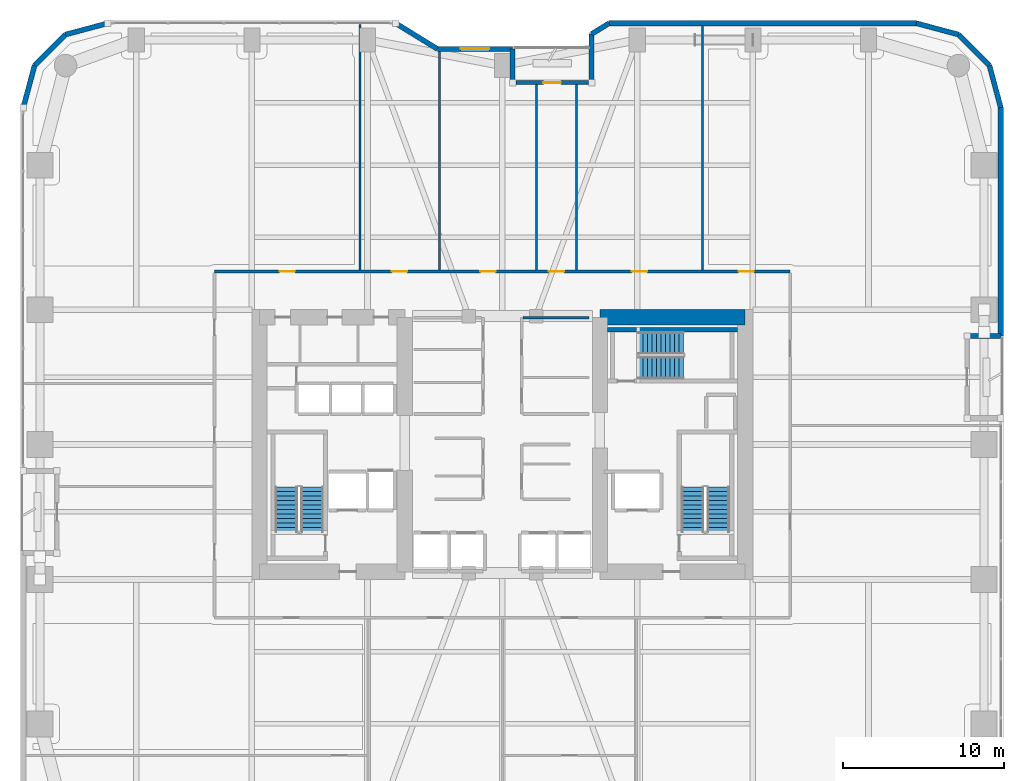
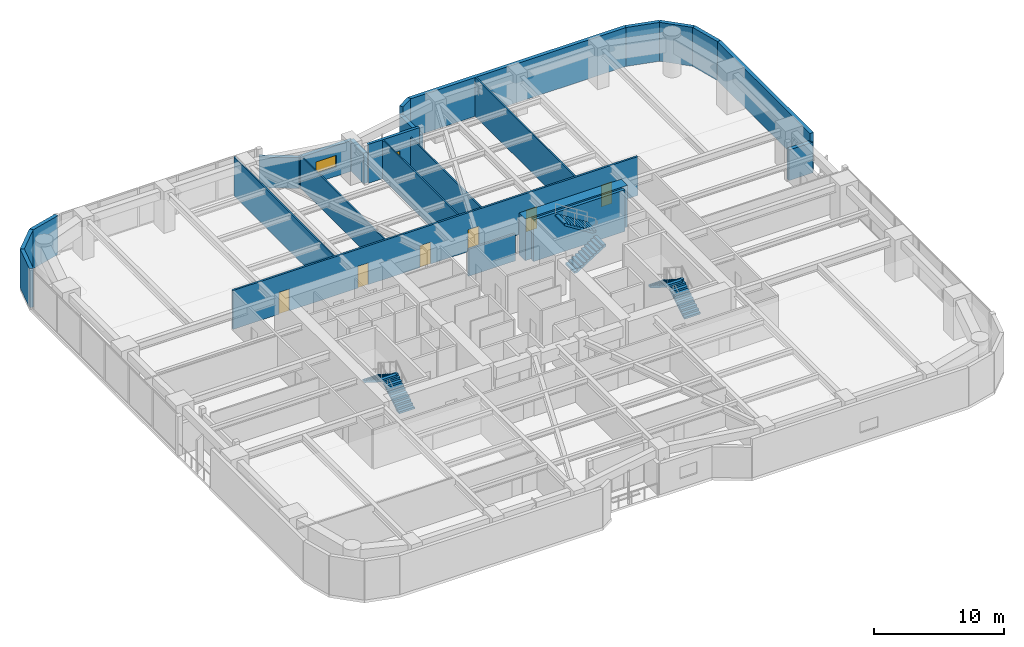
# One storey, part 25 of 28: 24 walls, 7 doors, 6 stair flights, 1 window, 8 openings, 3 elements without a shape of their own.
"""IFC4 building model written with IfcOpenShell, lengths in metres."""

from ifc_helpers import new_model, si_unit, direction, frame, frame_2d, origin, place, context, subcontext, project, spatial, polyline, rectangle, outline, extrude, material, layer, layer_set, type_object, element, fill, aggregate, save


model = new_model("IFC4")

# Units and contexts
model_context = context("Model", 3, precision=1e-05, world=origin(), true_north=direction((0.0, 1.0)))
body_context = subcontext(model_context, "Body", "Model", "MODEL_VIEW")
ifc_project = project(units=[si_unit("LENGTHUNIT", "METRE"), si_unit("AREAUNIT", "SQUARE_METRE"), si_unit("VOLUMEUNIT", "CUBIC_METRE"), si_unit("PLANEANGLEUNIT", "RADIAN"), si_unit("MASSUNIT", "GRAM", prefix="KILO")], contexts=[model_context])

# Site, building, storey
site_placement = place(None, origin())
site = spatial("IfcSite", under=ifc_project, at=site_placement, CompositionType="ELEMENT")
building_placement = place(site_placement, origin())
building = spatial("IfcBuilding", under=site, at=building_placement, Name="Kiyonajd Concourse Tower", CompositionType="ELEMENT")
storey_placement = place(building_placement, frame((0.0, 0.0, 33.300048828125)))
storey = spatial("IfcBuildingStorey", under=building, at=storey_placement, Name="L09", CompositionType="ELEMENT", Elevation=33.300048828125)

# Walls
ifc_material_1 = material(Name="Concrete C80/95", Category="concrete")
ifc_layer_1 = layer(ifc_material_1, 0.949951171875)
ifc_layer_set_1 = layer_set([ifc_layer_1], Name="Concrete C80/95")
wall_type_1 = type_object("IfcWallType", Name="WL-CORE-950", PredefinedType="SHEAR", material=ifc_layer_set_1)
wall_1_placement = place(storey_placement, frame((54.074951171875, 43.925048828125, 0.0), z_axis=(0.0, 0.0, 1.0), x_axis=(1.0, 0.0, 0.0)))
element("IfcWall", 1, at=wall_1_placement, inside=storey, type_object=wall_type_1, Name="L09 East Core North Shear Wall", PredefinedType="SHEAR", context=body_context, shape_type="SweptSolid", body=[
    extrude(rectangle(XDim=9.050048828125, YDim=0.949951171875, at=frame_2d((4.52490234375, 0.0))), origin(), (0.0, 0.0, 1.0), 3.89990234375),
])
ifc_material_2 = material(Name="Precast concrete C50/60", Category="concrete")
ifc_layer_2 = layer(ifc_material_2, 0.320068359375)
ifc_layer_set_2 = layer_set([ifc_layer_2], Name="Precast concrete C50/60")
wall_type_2 = type_object("IfcWallType", Name="WL-EXT-320", PredefinedType="SOLIDWALL", material=ifc_layer_set_2)
wall_2_placement = place(storey_placement, frame((18.159912109375, 56.97900390625, 0.0), z_axis=(0.0, 0.0, 1.0), x_axis=(0.25869736047, 0.965958423373, 0.0)))
element("IfcWall", 2, at=wall_2_placement, inside=storey, type_object=wall_type_2, Name="L09 Exterior Concrete Frame Wall 06", PredefinedType="SOLIDWALL", context=body_context, shape_type="SweptSolid", body=[
    extrude(rectangle(XDim=2.731201171875, YDim=0.320068359375, at=frame_2d((1.36572265625, 0.0))), origin(), (0.0, 0.0, 1.0), 3.639892578125),
])
wall_3_placement = place(storey_placement, frame((18.866455078125, 59.6171875, 0.0), z_axis=(0.0, 0.0, 1.0), x_axis=(0.707106781187, 0.707106781187, 0.0)))
element("IfcWall", 3, at=wall_3_placement, inside=storey, type_object=wall_type_2, Name="L09 Exterior Concrete Frame Wall 07", PredefinedType="SOLIDWALL", context=body_context, shape_type="SweptSolid", body=[
    extrude(rectangle(XDim=2.7099609375, YDim=0.320068359375, at=frame_2d((1.35498046875, 0.0))), origin(), (0.0, 0.0, 1.0), 3.639892578125),
])
wall_4_placement = place(storey_placement, frame((20.78271484375, 61.533447265625, 0.0), z_axis=(0.0, 0.0, 1.0), x_axis=(0.965964405026, 0.25867502435, 0.0)))
element("IfcWall", 4, at=wall_4_placement, inside=storey, type_object=wall_type_2, Name="L09 Exterior Concrete Frame Wall 08", PredefinedType="SOLIDWALL", context=body_context, shape_type="SweptSolid", body=[
    extrude(rectangle(XDim=2.7314453125, YDim=0.320068359375, at=frame_2d((1.36572265625, 0.0))), origin(), (0.0, 0.0, 1.0), 3.639892578125),
])
wall_5_placement = place(storey_placement, frame((41.354736328125, 62.239990234375, 0.0), z_axis=(0.0, 0.0, 1.0), x_axis=(0.851630857047, -0.524142044989, 0.0)))
element("IfcWall", 5, at=wall_5_placement, inside=storey, type_object=wall_type_2, Name="L09 Exterior Concrete Frame Wall 10", PredefinedType="SOLIDWALL", context=body_context, shape_type="SweptSolid", body=[
    extrude(rectangle(XDim=3.052734375, YDim=0.320068359375, at=frame_2d((1.5263671875, 0.0))), origin(), (0.0, 0.0, 1.0), 2.875),
])

# Wall, opening, window
wall_6_placement = place(storey_placement, frame((43.95458984375, 60.639892578125, 0.0), z_axis=(0.0, 0.0, 1.0), x_axis=(1.0, 0.0, 0.0)))
wall_6 = element("IfcWall", 6, at=wall_6_placement, inside=storey, type_object=wall_type_2, Name="L09 Exterior Concrete Frame Wall 11", PredefinedType="SOLIDWALL", context=body_context, shape_type="SweptSolid", body=[
    extrude(rectangle(XDim=4.685302734375, YDim=0.320068359375, at=frame_2d((2.3427734375, 0.0))), origin(), (0.0, 0.0, 1.0), 2.875),
])
opening_1_placement = place(wall_6_placement, frame((1.443115234375, 0.0, 0.85009765625)))
opening_1 = element("IfcOpeningElement", 7, at=opening_1_placement, cuts=wall_6, Name="Opening WN1", PredefinedType="OPENING", context=body_context, shape_type="SweptSolid", body=[
    extrude(rectangle(XDim=1.800048828125, YDim=1.10009765625, at=frame_2d((0.89990234375, 0.550048828125))), frame((0.0, 0.169921875, 0.0), z_axis=(0.0, -1.0, 0.0), x_axis=(1.0, 0.0, 0.0)), (0.0, 0.0, 1.0), 0.340087890625),
])
ifc_material_3 = material(Name="Double Low-E Insulated Glass", Category="glass")
window_type = type_object("IfcWindowType", Name="WN-VIS-1800x1100", PartitioningType="SINGLE_PANEL", PredefinedType="WINDOW", material=ifc_material_3)
window_placement = place(opening_1_placement, origin())
window = element("IfcWindow", 8, at=window_placement, inside=storey, type_object=window_type, Name="L09 Modular Facade Vision Window 11", OverallHeight=1.10009765625, OverallWidth=1.800048828125, PartitioningType="SINGLE_PANEL", PredefinedType="WINDOW", context=body_context, shape_type="SweptSolid", body=[
    extrude(rectangle(XDim=1.800048828125, YDim=1.10009765625, at=frame_2d((0.89990234375, 0.550048828125))), frame((0.0, 0.030029296875, 0.0), z_axis=(0.0, -1.0, 0.0), x_axis=(1.0, 0.0, 0.0)), (0.0, 0.0, 1.0), 0.06005859375),
])
fill(opening_1, window)

# Walls
wall_7_placement = place(storey_placement, frame((48.639892578125, 60.639892578125, 0.0), z_axis=(0.0, 0.0, 1.0), x_axis=(0.0, -1.0, 0.0)))
element("IfcWall", 9, at=wall_7_placement, inside=storey, type_object=wall_type_2, Name="L09 Exterior Concrete Frame Wall 12", PredefinedType="SOLIDWALL", context=body_context, shape_type="SweptSolid", body=[
    extrude(rectangle(XDim=2.099853515625, YDim=0.320068359375, at=frame_2d((1.0498046875, 0.0))), origin(), (0.0, 0.0, 1.0), 2.875),
])
wall_8_placement = place(storey_placement, frame((53.56005859375, 58.5400390625, 0.0), z_axis=(0.0, 0.0, 1.0), x_axis=(0.0, 1.0, 0.0)))
element("IfcWall", 10, at=wall_8_placement, inside=storey, type_object=wall_type_2, Name="L09 Exterior Concrete Frame Wall 14", PredefinedType="SOLIDWALL", context=body_context, shape_type="SweptSolid", body=[
    extrude(rectangle(XDim=3.032470703125, YDim=0.320068359375, at=frame_2d((1.51611328125, 0.0))), origin(), (0.0, 0.0, 1.0), 2.875),
])
wall_9_placement = place(storey_placement, frame((53.56005859375, 61.572509765625, 0.0), z_axis=(0.0, 0.0, 1.0), x_axis=(0.851776724646, 0.523904964045, 0.0)))
element("IfcWall", 11, at=wall_9_placement, inside=storey, type_object=wall_type_2, Name="L09 Exterior Concrete Frame Wall 15", PredefinedType="SOLIDWALL", context=body_context, shape_type="SweptSolid", body=[
    extrude(rectangle(XDim=1.274169921875, YDim=0.320068359375, at=frame_2d((0.63720703125, 0.0))), origin(), (0.0, 0.0, 1.0), 3.639892578125),
])
wall_10_placement = place(storey_placement, frame((54.645263671875, 62.239990234375, 0.0), z_axis=(0.0, 0.0, 1.0), x_axis=(1.0, 0.0, 0.0)))
element("IfcWall", 12, at=wall_10_placement, inside=storey, type_object=wall_type_2, Name="L09 Exterior Concrete Frame Wall 16", PredefinedType="SOLIDWALL", context=body_context, shape_type="SweptSolid", body=[
    extrude(rectangle(XDim=19.133544921875, YDim=0.320068359375, at=frame_2d((9.56689453125, 0.0))), origin(), (0.0, 0.0, 1.0), 3.639892578125),
])
wall_11_placement = place(storey_placement, frame((73.77880859375, 62.239990234375, 0.0), z_axis=(0.0, 0.0, 1.0), x_axis=(0.965964405026, -0.25867502435, 0.0)))
element("IfcWall", 13, at=wall_11_placement, inside=storey, type_object=wall_type_2, Name="L09 Exterior Concrete Frame Wall 17", PredefinedType="SOLIDWALL", context=body_context, shape_type="SweptSolid", body=[
    extrude(rectangle(XDim=2.7314453125, YDim=0.320068359375, at=frame_2d((1.36572265625, 0.0))), origin(), (0.0, 0.0, 1.0), 3.639892578125),
])
wall_12_placement = place(storey_placement, frame((76.417236328125, 61.533447265625, 0.0), z_axis=(0.0, 0.0, 1.0), x_axis=(0.707106781187, -0.707106781187, 0.0)))
element("IfcWall", 14, at=wall_12_placement, inside=storey, type_object=wall_type_2, Name="L09 Exterior Concrete Frame Wall 18", PredefinedType="SOLIDWALL", context=body_context, shape_type="SweptSolid", body=[
    extrude(rectangle(XDim=2.7099609375, YDim=0.320068359375, at=frame_2d((1.35498046875, 0.0))), origin(), (0.0, 0.0, 1.0), 3.639892578125),
])
wall_13_placement = place(storey_placement, frame((78.33349609375, 59.6171875, 0.0), z_axis=(0.0, 0.0, 1.0), x_axis=(0.25869736047, -0.965958423373, 0.0)))
element("IfcWall", 15, at=wall_13_placement, inside=storey, type_object=wall_type_2, Name="L09 Exterior Concrete Frame Wall 19", PredefinedType="SOLIDWALL", context=body_context, shape_type="SweptSolid", body=[
    extrude(rectangle(XDim=2.731201171875, YDim=0.320068359375, at=frame_2d((1.36572265625, 0.0))), origin(), (0.0, 0.0, 1.0), 3.639892578125),
])
wall_14_placement = place(storey_placement, frame((79.0400390625, 56.97900390625, 0.0), z_axis=(0.0, 0.0, 1.0), x_axis=(0.0, -1.0, 0.0)))
element("IfcWall", 16, at=wall_14_placement, inside=storey, type_object=wall_type_2, Name="L09 Exterior Concrete Frame Wall 20", PredefinedType="SOLIDWALL", context=body_context, shape_type="SweptSolid", body=[
    extrude(rectangle(XDim=14.218994140625, YDim=0.320068359375, at=frame_2d((7.109375, 0.0))), origin(), (0.0, 0.0, 1.0), 3.639892578125),
])
wall_15_placement = place(storey_placement, frame((79.0400390625, 42.760009765625, 0.0), z_axis=(0.0, 0.0, 1.0), x_axis=(-1.0, 0.0, 0.0)))
element("IfcWall", 17, at=wall_15_placement, inside=storey, type_object=wall_type_2, Name="L09 Exterior Concrete Frame Wall 21", PredefinedType="SOLIDWALL", context=body_context, shape_type="SweptSolid", body=[
    extrude(rectangle(XDim=2.10009765625, YDim=0.320068359375, at=frame_2d((1.050048828125, 0.0))), origin(), (0.0, 0.0, 1.0), 2.875),
])

# Wall, opening, door
ifc_layer_3 = layer(ifc_material_2, 0.239990234375)
ifc_layer_set_3 = layer_set([ifc_layer_3], Name="Precast concrete C50/60")
wall_type_3 = type_object("IfcWallType", Name="WL-LOG-240", PredefinedType="SOLIDWALL", material=ifc_layer_set_3)
wall_16_placement = place(storey_placement, frame((48.8349609375, 58.5400390625, 0.0), z_axis=(0.0, 0.0, 1.0), x_axis=(1.0, 0.0, 0.0)))
wall_16 = element("IfcWall", 18, at=wall_16_placement, inside=storey, type_object=wall_type_3, Name="L09 Recessed Loggia Thermal Wall LOG-N", PredefinedType="SOLIDWALL", context=body_context, shape_type="SweptSolid", body=[
    extrude(rectangle(XDim=4.530029296875, YDim=0.239990234375, at=frame_2d((2.26513671875, 0.0))), origin(), (0.0, 0.0, 1.0), 3.639892578125),
])
opening_2_placement = place(wall_16_placement, frame((1.715087890625, 0.0, 0.0)))
opening_2 = element("IfcOpeningElement", 19, at=opening_2_placement, cuts=wall_16, Name="Opening DL2", PredefinedType="OPENING", context=body_context, shape_type="SweptSolid", body=[
    extrude(rectangle(XDim=1.10009765625, YDim=2.0400390625, at=frame_2d((0.550048828125, 1.02001953125))), frame((0.0, 0.1298828125, 0.0), z_axis=(0.0, -1.0, 0.0), x_axis=(1.0, 0.0, 0.0)), (0.0, 0.0, 1.0), 0.260009765625),
])
ifc_material_4 = material(Name="Thermally Broken Anodised Aluminium", Category="aluminium")
door_type_1 = type_object("IfcDoorType", Name="DR-LOG-1100", OperationType="NOTDEFINED", PredefinedType="DOOR", material=ifc_material_4)
door_1_placement = place(opening_2_placement, origin())
door_1 = element("IfcDoor", 20, at=door_1_placement, inside=storey, type_object=door_type_1, Name="L09 Engawa Loggia Access Door LOG-N", OperationType="SINGLE_SWING_RIGHT", OverallHeight=2.0400390625, OverallWidth=1.10009765625, PredefinedType="DOOR", context=body_context, shape_type="SweptSolid", body=[
    extrude(rectangle(XDim=1.10009765625, YDim=2.0400390625, at=frame_2d((0.550048828125, 1.02001953125))), frame((0.0, 0.02490234375, 0.0), z_axis=(0.0, -1.0, 0.0), x_axis=(1.0, 0.0, 0.0)), (0.0, 0.0, 1.0), 0.050048828125),
])
fill(opening_2, door_1)

# Walls
ifc_material_5 = material(Name="Gypsum Board on Cold-Formed Steel Stud", Category="steel")
ifc_layer_4 = layer(ifc_material_5, 0.125)
ifc_layer_set_4 = layer_set([ifc_layer_4], Name="Gypsum Board on Cold-Formed Steel Stud")
wall_type_4 = type_object("IfcWallType", Name="WL-PART-125", PredefinedType="PARTITIONING", material=ifc_layer_set_4)
wall_17_placement = place(storey_placement, frame((39.1298828125, 46.866943359375, 0.0), z_axis=(0.0, 0.0, 1.0), x_axis=(0.0, 1.0, 0.0)))
element("IfcWall", 21, at=wall_17_placement, inside=storey, type_object=wall_type_4, Name="L09 Interior Partition Wall", PredefinedType="PARTITIONING", context=body_context, shape_type="SweptSolid", body=[
    extrude(rectangle(XDim=15.2880859375, YDim=0.125, at=frame_2d((7.64404296875, 0.0))), origin(), (0.0, 0.0, 1.0), 3.639892578125),
])
wall_18_placement = place(storey_placement, frame((44.070068359375, 46.866943359375, 0.0), z_axis=(0.0, 0.0, 1.0), x_axis=(0.0, 1.0, 0.0)))
element("IfcWall", 22, at=wall_18_placement, inside=storey, type_object=wall_type_4, Name="L09 Interior Partition Wall", PredefinedType="PARTITIONING", context=body_context, shape_type="SweptSolid", body=[
    extrude(rectangle(XDim=13.6181640625, YDim=0.125, at=frame_2d((6.80908203125, 0.0))), origin(), (0.0, 0.0, 1.0), 3.0029296875),
])
wall_19_placement = place(storey_placement, frame((50.1298828125, 46.866943359375, 0.0), z_axis=(0.0, 0.0, 1.0), x_axis=(0.0, 1.0, 0.0)))
element("IfcWall", 23, at=wall_19_placement, inside=storey, type_object=wall_type_4, Name="L09 Interior Partition Wall", PredefinedType="PARTITIONING", context=body_context, shape_type="SweptSolid", body=[
    extrude(rectangle(XDim=11.55810546875, YDim=0.125, at=frame_2d((5.779052734375, 0.0))), origin(), (0.0, 0.0, 1.0), 3.639892578125),
])
wall_20_placement = place(storey_placement, frame((52.610107421875, 46.866943359375, 0.0), z_axis=(0.0, 0.0, 1.0), x_axis=(0.0, 1.0, 0.0)))
element("IfcWall", 24, at=wall_20_placement, inside=storey, type_object=wall_type_4, Name="L09 Interior Partition Wall", PredefinedType="PARTITIONING", context=body_context, shape_type="SweptSolid", body=[
    extrude(rectangle(XDim=11.55810546875, YDim=0.125, at=frame_2d((5.779052734375, 0.0))), origin(), (0.0, 0.0, 1.0), 3.0029296875),
])
wall_21_placement = place(storey_placement, frame((60.4599609375, 46.866943359375, 0.0), z_axis=(0.0, 0.0, 1.0), x_axis=(0.0, 1.0, 0.0)))
element("IfcWall", 25, at=wall_21_placement, inside=storey, type_object=wall_type_4, Name="L09 Interior Partition Wall", PredefinedType="PARTITIONING", context=body_context, shape_type="SweptSolid", body=[
    extrude(rectangle(XDim=15.218017578125, YDim=0.125, at=frame_2d((7.60888671875, 0.0))), origin(), (0.0, 0.0, 1.0), 3.639892578125),
])
ifc_layer_5 = layer(ifc_material_5, 0.169921875)
ifc_layer_set_5 = layer_set([ifc_layer_5], Name="Gypsum Board on Cold-Formed Steel Stud")
wall_type_5 = type_object("IfcWallType", Name="WL-SMK-170", PredefinedType="PARTITIONING", material=ifc_layer_set_5)
wall_22_placement = place(storey_placement, frame((49.287109375, 43.89990234375, 0.0), z_axis=(0.0, 0.0, 1.0), x_axis=(1.0, 0.0, 0.0)))
element("IfcWall", 26, at=wall_22_placement, inside=storey, type_object=wall_type_5, Name="L09 Interior Partition Wall", PredefinedType="PARTITIONING", context=body_context, shape_type="SweptSolid", body=[
    extrude(rectangle(XDim=4.11279296875, YDim=0.169921875, at=frame_2d((2.056396484375, 0.0))), origin(), (0.0, 0.0, 1.0), 2.52490234375),
])

# Wall, openings, doors
wall_23_placement = place(storey_placement, frame((30.074951171875, 46.780029296875, 0.0), z_axis=(0.0, 0.0, 1.0), x_axis=(1.0, 0.0, 0.0)))
wall_23 = element("IfcWall", 27, at=wall_23_placement, inside=storey, type_object=wall_type_5, Name="L09 Interior Partition Wall", PredefinedType="PARTITIONING", context=body_context, shape_type="SweptSolid", body=[
    extrude(rectangle(XDim=35.85009765625, YDim=0.169921875, at=frame_2d((17.925048828125, 0.0))), origin(), (0.0, 0.0, 1.0), 3.639892578125),
])
opening_3_placement = place(wall_23_placement, frame((4.052978515625, 0.0, 0.0)))
opening_3 = element("IfcOpeningElement", 28, at=opening_3_placement, cuts=wall_23, Name="Opening DI1", PredefinedType="OPENING", context=body_context, shape_type="SweptSolid", body=[
    extrude(rectangle(XDim=0.949951171875, YDim=2.0400390625, at=frame_2d((0.47509765625, 1.02001953125))), frame((0.0, 0.094970703125, 0.0), z_axis=(0.0, -1.0, 0.0), x_axis=(1.0, 0.0, 0.0)), (0.0, 0.0, 1.0), 0.18994140625),
])
opening_4_placement = place(wall_23_placement, frame((11.050048828125, 0.0, 0.0)))
opening_4 = element("IfcOpeningElement", 29, at=opening_4_placement, cuts=wall_23, Name="Opening DI1", PredefinedType="OPENING", context=body_context, shape_type="SweptSolid", body=[
    extrude(rectangle(XDim=0.949951171875, YDim=2.0400390625, at=frame_2d((0.47509765625, 1.02001953125))), frame((0.0, 0.094970703125, 0.0), z_axis=(0.0, -1.0, 0.0), x_axis=(1.0, 0.0, 0.0)), (0.0, 0.0, 1.0), 0.18994140625),
])
opening_5_placement = place(wall_23_placement, frame((16.550048828125, 0.0, 0.0)))
opening_5 = element("IfcOpeningElement", 30, at=opening_5_placement, cuts=wall_23, Name="Opening DI1", PredefinedType="OPENING", context=body_context, shape_type="SweptSolid", body=[
    extrude(rectangle(XDim=0.949951171875, YDim=2.0400390625, at=frame_2d((0.47509765625, 1.02001953125))), frame((0.0, 0.094970703125, 0.0), z_axis=(0.0, -1.0, 0.0), x_axis=(1.0, 0.0, 0.0)), (0.0, 0.0, 1.0), 0.18994140625),
])
opening_6_placement = place(wall_23_placement, frame((20.820068359375, 0.0, 0.0)))
opening_6 = element("IfcOpeningElement", 31, at=opening_6_placement, cuts=wall_23, Name="Opening DI1", PredefinedType="OPENING", context=body_context, shape_type="SweptSolid", body=[
    extrude(rectangle(XDim=0.949951171875, YDim=2.0400390625, at=frame_2d((0.47509765625, 1.02001953125))), frame((0.0, 0.094970703125, 0.0), z_axis=(0.0, -1.0, 0.0), x_axis=(1.0, 0.0, 0.0)), (0.0, 0.0, 1.0), 0.18994140625),
])
opening_7_placement = place(wall_23_placement, frame((25.985107421875, 0.0, 0.0)))
opening_7 = element("IfcOpeningElement", 32, at=opening_7_placement, cuts=wall_23, Name="Opening DI1", PredefinedType="OPENING", context=body_context, shape_type="SweptSolid", body=[
    extrude(rectangle(XDim=0.949951171875, YDim=2.0400390625, at=frame_2d((0.47509765625, 1.02001953125))), frame((0.0, 0.094970703125, 0.0), z_axis=(0.0, -1.0, 0.0), x_axis=(1.0, 0.0, 0.0)), (0.0, 0.0, 1.0), 0.18994140625),
])
opening_8_placement = place(wall_23_placement, frame((32.64306640625, 0.0, 0.0)))
opening_8 = element("IfcOpeningElement", 33, at=opening_8_placement, cuts=wall_23, Name="Opening DI1", PredefinedType="OPENING", context=body_context, shape_type="SweptSolid", body=[
    extrude(rectangle(XDim=0.949951171875, YDim=2.0400390625, at=frame_2d((0.47509765625, 1.02001953125))), frame((0.0, 0.094970703125, 0.0), z_axis=(0.0, -1.0, 0.0), x_axis=(1.0, 0.0, 0.0)), (0.0, 0.0, 1.0), 0.18994140625),
])
ifc_material_6 = material(Name="Natural Oak Acoustic Timber Veneer", Category="wood")
door_type_2 = type_object("IfcDoorType", Name="DR-INT-950", OperationType="NOTDEFINED", PredefinedType="DOOR", material=ifc_material_6)
door_2_placement = place(opening_3_placement, origin())
door_2 = element("IfcDoor", 34, at=door_2_placement, inside=storey, type_object=door_type_2, Name="L09 Interior Door", OperationType="SINGLE_SWING_LEFT", OverallHeight=2.0400390625, OverallWidth=0.949951171875, PredefinedType="DOOR", context=body_context, shape_type="SweptSolid", body=[
    extrude(rectangle(XDim=0.949951171875, YDim=2.0400390625, at=frame_2d((0.47509765625, 1.02001953125))), frame((0.0, 0.02490234375, 0.0), z_axis=(0.0, -1.0, 0.0), x_axis=(1.0, 0.0, 0.0)), (0.0, 0.0, 1.0), 0.050048828125),
])
fill(opening_3, door_2)
door_3_placement = place(opening_4_placement, origin())
door_3 = element("IfcDoor", 35, at=door_3_placement, inside=storey, type_object=door_type_2, Name="L09 Interior Door", OperationType="SINGLE_SWING_RIGHT", OverallHeight=2.0400390625, OverallWidth=0.949951171875, PredefinedType="DOOR", context=body_context, shape_type="SweptSolid", body=[
    extrude(rectangle(XDim=0.949951171875, YDim=2.0400390625, at=frame_2d((0.47509765625, 1.02001953125))), frame((0.0, 0.02490234375, 0.0), z_axis=(0.0, -1.0, 0.0), x_axis=(1.0, 0.0, 0.0)), (0.0, 0.0, 1.0), 0.050048828125),
])
fill(opening_4, door_3)
door_4_placement = place(opening_5_placement, origin())
door_4 = element("IfcDoor", 36, at=door_4_placement, inside=storey, type_object=door_type_2, Name="L09 Interior Door", OperationType="SINGLE_SWING_LEFT", OverallHeight=2.0400390625, OverallWidth=0.949951171875, PredefinedType="DOOR", context=body_context, shape_type="SweptSolid", body=[
    extrude(rectangle(XDim=0.949951171875, YDim=2.0400390625, at=frame_2d((0.47509765625, 1.02001953125))), frame((0.0, 0.02490234375, 0.0), z_axis=(0.0, -1.0, 0.0), x_axis=(1.0, 0.0, 0.0)), (0.0, 0.0, 1.0), 0.050048828125),
])
fill(opening_5, door_4)
door_5_placement = place(opening_6_placement, origin())
door_5 = element("IfcDoor", 37, at=door_5_placement, inside=storey, type_object=door_type_2, Name="L09 Interior Door", OperationType="SINGLE_SWING_RIGHT", OverallHeight=2.0400390625, OverallWidth=0.949951171875, PredefinedType="DOOR", context=body_context, shape_type="SweptSolid", body=[
    extrude(rectangle(XDim=0.949951171875, YDim=2.0400390625, at=frame_2d((0.47509765625, 1.02001953125))), frame((0.0, 0.02490234375, 0.0), z_axis=(0.0, -1.0, 0.0), x_axis=(1.0, 0.0, 0.0)), (0.0, 0.0, 1.0), 0.050048828125),
])
fill(opening_6, door_5)
door_6_placement = place(opening_7_placement, origin())
door_6 = element("IfcDoor", 38, at=door_6_placement, inside=storey, type_object=door_type_2, Name="L09 Interior Door", OperationType="SINGLE_SWING_LEFT", OverallHeight=2.0400390625, OverallWidth=0.949951171875, PredefinedType="DOOR", context=body_context, shape_type="SweptSolid", body=[
    extrude(rectangle(XDim=0.949951171875, YDim=2.0400390625, at=frame_2d((0.47509765625, 1.02001953125))), frame((0.0, 0.02490234375, 0.0), z_axis=(0.0, -1.0, 0.0), x_axis=(1.0, 0.0, 0.0)), (0.0, 0.0, 1.0), 0.050048828125),
])
fill(opening_7, door_6)
door_7_placement = place(opening_8_placement, origin())
door_7 = element("IfcDoor", 39, at=door_7_placement, inside=storey, type_object=door_type_2, Name="L09 Interior Door", OperationType="SINGLE_SWING_RIGHT", OverallHeight=2.0400390625, OverallWidth=0.949951171875, PredefinedType="DOOR", context=body_context, shape_type="SweptSolid", body=[
    extrude(rectangle(XDim=0.949951171875, YDim=2.0400390625, at=frame_2d((0.47509765625, 1.02001953125))), frame((0.0, 0.02490234375, 0.0), z_axis=(0.0, -1.0, 0.0), x_axis=(1.0, 0.0, 0.0)), (0.0, 0.0, 1.0), 0.050048828125),
])
fill(opening_8, door_7)

# Wall
ifc_material_7 = material(Name="Concrete C50/60", Category="concrete")
ifc_layer_6 = layer(ifc_material_7, 0.260009765625)
ifc_layer_set_6 = layer_set([ifc_layer_6], Name="Concrete C50/60")
wall_type_6 = type_object("IfcWallType", Name="WL-STAIR-260", PredefinedType="SHEAR", material=ifc_layer_set_6)
wall_24_placement = place(storey_placement, frame((54.550048828125, 43.14990234375, 0.0), z_axis=(0.0, 0.0, 1.0), x_axis=(1.0, 0.0, 0.0)))
element("IfcWall", 40, at=wall_24_placement, inside=storey, type_object=wall_type_6, Name="L09 Stair ST3 Structural North Wall", PredefinedType="SHEAR", context=body_context, shape_type="SweptSolid", body=[
    extrude(rectangle(XDim=8.099853515625, YDim=0.260009765625, at=frame_2d((4.0498046875, 0.0))), origin(), (0.0, 0.0, 1.0), 3.89990234375),
])

# Stair, stair flights
ifc_material_8 = material(Name="Concrete C40/50", Category="concrete")
stair_type = type_object("IfcStairType", Name="ST-DLG-22R", PredefinedType="HALF_TURN_STAIR", material=ifc_material_8)
stair_1_placement = place(storey_placement, origin())
stair_1 = element("IfcStair", 41, at=stair_1_placement, inside=storey, type_object=stair_type, Name="L09 Protected Exit Stair ST1", PredefinedType="HALF_TURN_STAIR")
stair_flight_type = type_object("IfcStairFlightType", Name="SF-STR-22R", PredefinedType="STRAIGHT", material=ifc_material_8)
stair_flight_1_placement = place(storey_placement, frame((36.14990234375, 30.550048828125, 0.0), z_axis=(0.0, 0.0, 1.0), x_axis=(0.0, 1.0, 0.0)))
stair_flight_1 = element("IfcStairFlight", 42, at=stair_flight_1_placement, type_object=stair_flight_type, Name="ST1 flight 1", NumberOfRisers=11, NumberOfTreads=10, PredefinedType="STRAIGHT", RiserHeight=0.177272727, TreadLength=0.28, context=body_context, shape_type="SweptSolid", body=[
    extrude(outline(polyline([(0.0, 0.0), (0.0, 0.17724609375), (0.280029296875, 0.17724609375), (0.280029296875, 0.3544921875), (0.56005859375, 0.3544921875), (0.56005859375, 0.53173828125), (0.840087890625, 0.53173828125), (0.840087890625, 0.708984375), (1.1201171875, 0.708984375), (1.1201171875, 0.886474609375), (1.39990234375, 0.886474609375), (1.39990234375, 1.063720703125), (1.679931640625, 1.063720703125), (1.679931640625, 1.240966796875), (1.9599609375, 1.240966796875), (1.9599609375, 1.418212890625), (2.239990234375, 1.418212890625), (2.239990234375, 1.595458984375), (2.52001953125, 1.595458984375), (2.52001953125, 1.772705078125), (2.800048828125, 1.772705078125), (2.800048828125, 1.949951171875), (2.800048828125, 1.59521484375), (0.2802734375, 0.0), (0.0, 0.0)])), frame((0.0, 0.699951171875, 0.0), z_axis=(0.0, -1.0, 0.0), x_axis=(1.0, 0.0, 0.0)), (0.0, 0.0, 1.0), 1.39990234375),
])
stair_flight_2_placement = place(storey_placement, frame((34.550048828125, 33.35009765625, 1.949951171875), z_axis=(0.0, 0.0, 1.0), x_axis=(0.0, -1.0, 0.0)))
stair_flight_2 = element("IfcStairFlight", 43, at=stair_flight_2_placement, type_object=stair_flight_type, Name="ST1 flight 2", NumberOfRisers=11, NumberOfTreads=10, PredefinedType="STRAIGHT", RiserHeight=0.177272727, TreadLength=0.28, context=body_context, shape_type="SweptSolid", body=[
    extrude(outline(polyline([(0.0, 0.0), (0.0, 0.17724609375), (0.280029296875, 0.17724609375), (0.280029296875, 0.3544921875), (0.56005859375, 0.3544921875), (0.56005859375, 0.53173828125), (0.840087890625, 0.53173828125), (0.840087890625, 0.708984375), (1.1201171875, 0.708984375), (1.1201171875, 0.886474609375), (1.39990234375, 0.886474609375), (1.39990234375, 1.063720703125), (1.679931640625, 1.063720703125), (1.679931640625, 1.240966796875), (1.9599609375, 1.240966796875), (1.9599609375, 1.418212890625), (2.239990234375, 1.418212890625), (2.239990234375, 1.595458984375), (2.52001953125, 1.595458984375), (2.52001953125, 1.772705078125), (2.800048828125, 1.772705078125), (2.800048828125, 1.949951171875), (2.800048828125, 1.59521484375), (0.2802734375, 0.0), (0.0, 0.0)])), frame((0.0, 0.699951171875, 0.0), z_axis=(0.0, -1.0, 0.0), x_axis=(1.0, 0.0, 0.0)), (0.0, 0.0, 1.0), 1.39990234375),
])
aggregate(stair_1, [stair_flight_1, stair_flight_2])

stair_2_placement = place(storey_placement, origin())
stair_2 = element("IfcStair", 44, at=stair_2_placement, inside=storey, type_object=stair_type, Name="L09 Protected Exit Stair ST2", PredefinedType="HALF_TURN_STAIR")
stair_flight_3_placement = place(storey_placement, frame((61.449951171875, 30.550048828125, 0.0), z_axis=(0.0, 0.0, 1.0), x_axis=(0.0, 1.0, 0.0)))
stair_flight_3 = element("IfcStairFlight", 45, at=stair_flight_3_placement, type_object=stair_flight_type, Name="ST2 flight 1", NumberOfRisers=11, NumberOfTreads=10, PredefinedType="STRAIGHT", RiserHeight=0.177272727, TreadLength=0.28, context=body_context, shape_type="SweptSolid", body=[
    extrude(outline(polyline([(0.0, 0.0), (0.0, 0.17724609375), (0.280029296875, 0.17724609375), (0.280029296875, 0.3544921875), (0.56005859375, 0.3544921875), (0.56005859375, 0.53173828125), (0.840087890625, 0.53173828125), (0.840087890625, 0.708984375), (1.1201171875, 0.708984375), (1.1201171875, 0.886474609375), (1.39990234375, 0.886474609375), (1.39990234375, 1.063720703125), (1.679931640625, 1.063720703125), (1.679931640625, 1.240966796875), (1.9599609375, 1.240966796875), (1.9599609375, 1.418212890625), (2.239990234375, 1.418212890625), (2.239990234375, 1.595458984375), (2.52001953125, 1.595458984375), (2.52001953125, 1.772705078125), (2.800048828125, 1.772705078125), (2.800048828125, 1.949951171875), (2.800048828125, 1.59521484375), (0.2802734375, 0.0), (0.0, 0.0)])), frame((0.0, 0.699951171875, 0.0), z_axis=(0.0, -1.0, 0.0), x_axis=(1.0, 0.0, 0.0)), (0.0, 0.0, 1.0), 1.39990234375),
])
stair_flight_4_placement = place(storey_placement, frame((59.85009765625, 33.35009765625, 1.949951171875), z_axis=(0.0, 0.0, 1.0), x_axis=(0.0, -1.0, 0.0)))
stair_flight_4 = element("IfcStairFlight", 46, at=stair_flight_4_placement, type_object=stair_flight_type, Name="ST2 flight 2", NumberOfRisers=11, NumberOfTreads=10, PredefinedType="STRAIGHT", RiserHeight=0.177272727, TreadLength=0.28, context=body_context, shape_type="SweptSolid", body=[
    extrude(outline(polyline([(0.0, 0.0), (0.0, 0.17724609375), (0.280029296875, 0.17724609375), (0.280029296875, 0.3544921875), (0.56005859375, 0.3544921875), (0.56005859375, 0.53173828125), (0.840087890625, 0.53173828125), (0.840087890625, 0.708984375), (1.1201171875, 0.708984375), (1.1201171875, 0.886474609375), (1.39990234375, 0.886474609375), (1.39990234375, 1.063720703125), (1.679931640625, 1.063720703125), (1.679931640625, 1.240966796875), (1.9599609375, 1.240966796875), (1.9599609375, 1.418212890625), (2.239990234375, 1.418212890625), (2.239990234375, 1.595458984375), (2.52001953125, 1.595458984375), (2.52001953125, 1.772705078125), (2.800048828125, 1.772705078125), (2.800048828125, 1.949951171875), (2.800048828125, 1.59521484375), (0.2802734375, 0.0), (0.0, 0.0)])), frame((0.0, 0.699951171875, 0.0), z_axis=(0.0, -1.0, 0.0), x_axis=(1.0, 0.0, 0.0)), (0.0, 0.0, 1.0), 1.39990234375),
])
aggregate(stair_2, [stair_flight_3, stair_flight_4])

stair_3_placement = place(storey_placement, origin())
stair_3 = element("IfcStair", 47, at=stair_3_placement, inside=storey, type_object=stair_type, Name="L09 Protected Exit Stair ST3", PredefinedType="HALF_TURN_STAIR")
stair_flight_5_placement = place(storey_placement, frame((56.47998046875, 40.780029296875, 0.0), z_axis=(0.0, 0.0, 1.0), x_axis=(1.0, 0.0, 0.0)))
stair_flight_5 = element("IfcStairFlight", 48, at=stair_flight_5_placement, type_object=stair_flight_type, Name="ST3 flight 1", NumberOfRisers=11, NumberOfTreads=10, PredefinedType="STRAIGHT", RiserHeight=0.177272727, TreadLength=0.28, context=body_context, shape_type="SweptSolid", body=[
    extrude(outline(polyline([(0.0, 0.0), (0.0, 0.17724609375), (0.280029296875, 0.17724609375), (0.280029296875, 0.3544921875), (0.56005859375, 0.3544921875), (0.56005859375, 0.53173828125), (0.840087890625, 0.53173828125), (0.840087890625, 0.708984375), (1.1201171875, 0.708984375), (1.1201171875, 0.886474609375), (1.39990234375, 0.886474609375), (1.39990234375, 1.063720703125), (1.679931640625, 1.063720703125), (1.679931640625, 1.240966796875), (1.9599609375, 1.240966796875), (1.9599609375, 1.418212890625), (2.239990234375, 1.418212890625), (2.239990234375, 1.595458984375), (2.52001953125, 1.595458984375), (2.52001953125, 1.772705078125), (2.800048828125, 1.772705078125), (2.800048828125, 1.949951171875), (2.800048828125, 1.59521484375), (0.2802734375, 0.0), (0.0, 0.0)])), frame((0.0, 0.699951171875, 0.0), z_axis=(0.0, -1.0, 0.0), x_axis=(1.0, 0.0, 0.0)), (0.0, 0.0, 1.0), 1.39990234375),
])
stair_flight_6_placement = place(storey_placement, frame((59.280029296875, 42.320068359375, 1.949951171875), z_axis=(0.0, 0.0, 1.0), x_axis=(-1.0, 0.0, 0.0)))
stair_flight_6 = element("IfcStairFlight", 49, at=stair_flight_6_placement, type_object=stair_flight_type, Name="ST3 flight 2", NumberOfRisers=11, NumberOfTreads=10, PredefinedType="STRAIGHT", RiserHeight=0.177272727, TreadLength=0.28, context=body_context, shape_type="SweptSolid", body=[
    extrude(outline(polyline([(0.0, 0.0), (0.0, 0.17724609375), (0.280029296875, 0.17724609375), (0.280029296875, 0.3544921875), (0.56005859375, 0.3544921875), (0.56005859375, 0.53173828125), (0.840087890625, 0.53173828125), (0.840087890625, 0.708984375), (1.1201171875, 0.708984375), (1.1201171875, 0.886474609375), (1.39990234375, 0.886474609375), (1.39990234375, 1.063720703125), (1.679931640625, 1.063720703125), (1.679931640625, 1.240966796875), (1.9599609375, 1.240966796875), (1.9599609375, 1.418212890625), (2.239990234375, 1.418212890625), (2.239990234375, 1.595458984375), (2.52001953125, 1.595458984375), (2.52001953125, 1.772705078125), (2.800048828125, 1.772705078125), (2.800048828125, 1.949951171875), (2.800048828125, 1.59521484375), (0.2802734375, 0.0), (0.0, 0.0)])), frame((0.0, 0.699951171875, 0.0), z_axis=(0.0, -1.0, 0.0), x_axis=(1.0, 0.0, 0.0)), (0.0, 0.0, 1.0), 1.39990234375),
])
aggregate(stair_3, [stair_flight_5, stair_flight_6])

save(model, "model.ifc")
